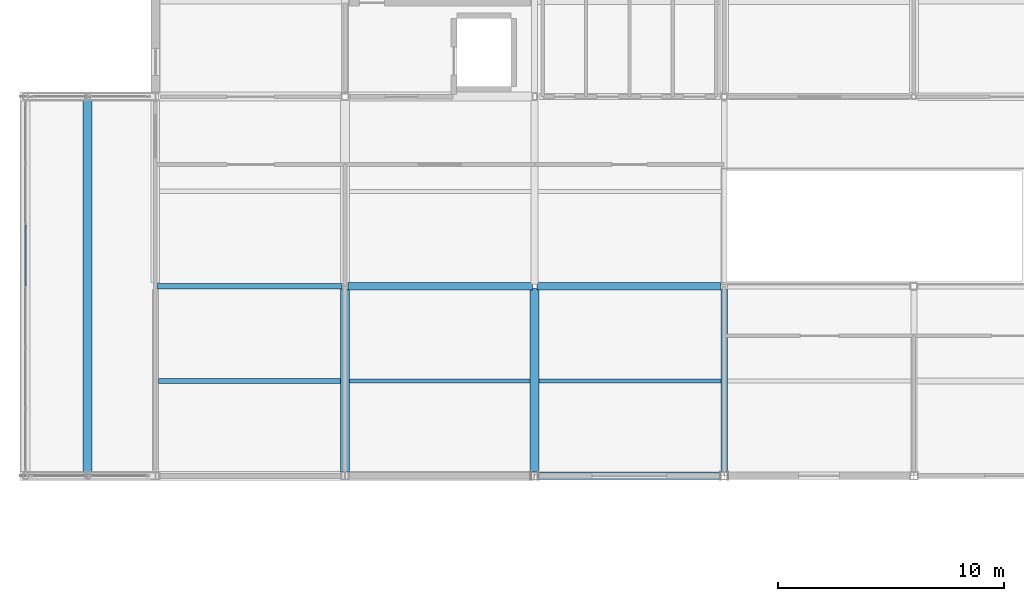
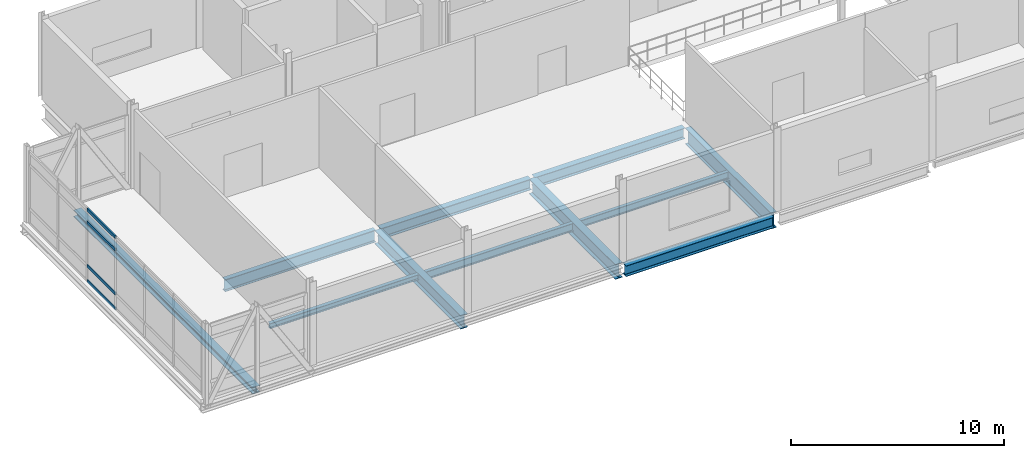
# One storey, part 13 of 45: 11 beams, 4 members, 1 element without a shape of its own.
"""IFC4 building model written with IfcOpenShell, lengths in metres."""

from ifc_helpers import new_model, si_unit, direction, frame, origin, origin_2d, place, context, subcontext, project, spatial, hollow_rectangle, i_section, extrude, material, layer, layer_set, material_profile, profile_set, type_object, element, aggregate, save


model = new_model("IFC4")

# Units and contexts
model_context = context("Model", 3, precision=1e-05, world=origin(), true_north=direction((0.0, 1.0)))
body_context = subcontext(model_context, "Body", "Model", "MODEL_VIEW")
ifc_project = project(units=[si_unit("LENGTHUNIT", "METRE"), si_unit("AREAUNIT", "SQUARE_METRE"), si_unit("VOLUMEUNIT", "CUBIC_METRE"), si_unit("PLANEANGLEUNIT", "RADIAN"), si_unit("MASSUNIT", "GRAM", prefix="KILO")], contexts=[model_context])

# Site, building, storey
site_placement = place(None, origin())
site = spatial("IfcSite", under=ifc_project, at=site_placement, CompositionType="ELEMENT")
building_placement = place(site_placement, origin())
building = spatial("IfcBuilding", under=site, at=building_placement, Name="Calvrana Isthmian Art Gallery", CompositionType="ELEMENT")
storey_placement = place(building_placement, frame((0.0, 0.0, 19.800048828125)))
storey = spatial("IfcBuildingStorey", under=building, at=storey_placement, Name="L04", CompositionType="ELEMENT", Elevation=19.800048828125)

# Beams
ifc_material_1 = material(Name="Steel ASTM A992 Gr 50", Category="steel")
ifc_material_profile_1 = material_profile(ifc_material_1, i_section(OverallWidth=0.39892578125, OverallDepth=0.39404296875, WebThickness=0.022705078125, FlangeThickness=0.03662109375, FilletRadius=0.02490234375, at=origin_2d()), Name="W14X193")
ifc_profile_set_1 = profile_set([ifc_material_profile_1], Name="Steel ASTM A992 Gr 50")
beam_type_1 = type_object("IfcBeamType", Name="BM-CANT-CHORD", PredefinedType="BEAM", material=ifc_profile_set_1)
beam_1_placement = place(storey_placement, frame((18.60009765625, 21.60009765625, -0.467041015625), z_axis=(0.0, 1.0, 0.0), x_axis=(-1.0, 0.0, 0.0)))
element("IfcBeam", 1, at=beam_1_placement, inside=storey, type_object=beam_type_1, Name="Lookout transverse girder L04-2", PredefinedType="BEAM", context=body_context, shape_type="SweptSolid", body=[
    extrude(i_section(OverallWidth=0.39892578125, OverallDepth=0.39404296875, WebThickness=0.022705078125, FlangeThickness=0.03662109375, FilletRadius=0.02490234375, at=origin_2d()), origin(), (0.0, 0.0, 1.0), 16.7998046875),
])
ifc_material_profile_2 = material_profile(ifc_material_1, i_section(OverallWidth=0.324951171875, OverallDepth=0.612060546875, WebThickness=0.0126953125, FlangeThickness=0.01904296875, FilletRadius=0.02197265625, at=origin_2d()), Name="W24X104")
ifc_profile_set_2 = profile_set([ifc_material_profile_2], Name="Steel ASTM A992 Gr 50")
beam_type_2 = type_object("IfcBeamType", Name="BM-G-W24X104", PredefinedType="BEAM", material=ifc_profile_set_2)
beam_2_placement = place(storey_placement, frame((38.501708984375, 30.0, -0.571044921875), z_axis=(1.0, 0.0, 0.0), x_axis=(0.0, 1.0, 0.0)))
element("IfcBeam", 2, at=beam_2_placement, inside=storey, type_object=beam_type_2, Name="Girder X L04 06-07/E", PredefinedType="BEAM", context=body_context, shape_type="SweptSolid", body=[
    extrude(i_section(OverallWidth=0.324951171875, OverallDepth=0.612060546875, WebThickness=0.0126953125, FlangeThickness=0.01904296875, FilletRadius=0.02197265625, at=origin_2d()), origin(), (0.0, 0.0, 1.0), 8.14599609375),
])
ifc_material_profile_3 = material_profile(ifc_material_1, i_section(OverallWidth=0.327880859375, OverallDepth=0.6220703125, WebThickness=0.015380859375, FlangeThickness=0.0244140625, FilletRadius=0.02197265625, at=origin_2d()), Name="W24X131")
ifc_profile_set_3 = profile_set([ifc_material_profile_3], Name="Steel ASTM A992 Gr 50")
beam_type_3 = type_object("IfcBeamType", Name="BM-G-W24X131", PredefinedType="BEAM", material=ifc_profile_set_3)
beam_3_placement = place(storey_placement, frame((38.58642578125, 21.60009765625, -0.575927734375), z_axis=(1.0, 0.0, 0.0), x_axis=(0.0, 1.0, 0.0)))
element("IfcBeam", 3, at=beam_3_placement, inside=storey, type_object=beam_type_3, Name="Girder X L04 06-07/D", PredefinedType="BEAM", context=body_context, shape_type="SweptSolid", body=[
    extrude(i_section(OverallWidth=0.327880859375, OverallDepth=0.6220703125, WebThickness=0.015380859375, FlangeThickness=0.0244140625, FilletRadius=0.02197265625, at=origin_2d()), origin(), (0.0, 0.0, 1.0), 8.028076171875),
])
beam_4_placement = place(storey_placement, frame((30.126953125, 30.0, -0.575927734375), z_axis=(1.0, 0.0, 0.0), x_axis=(0.0, 1.0, 0.0)))
element("IfcBeam", 4, at=beam_4_placement, inside=storey, type_object=beam_type_3, Name="Girder X L04 05-06/E", PredefinedType="BEAM", context=body_context, shape_type="SweptSolid", body=[
    extrude(i_section(OverallWidth=0.327880859375, OverallDepth=0.6220703125, WebThickness=0.015380859375, FlangeThickness=0.0244140625, FilletRadius=0.02197265625, at=origin_2d()), origin(), (0.0, 0.0, 1.0), 8.17138671875),
])
ifc_material_profile_4 = material_profile(ifc_material_1, i_section(OverallWidth=0.257080078125, OverallDepth=0.693115234375, WebThickness=0.014404296875, FlangeThickness=0.023681640625, FilletRadius=0.02392578125, at=origin_2d()), Name="W27X114")
ifc_profile_set_4 = profile_set([ifc_material_profile_4], Name="Steel ASTM A992 Gr 50")
beam_type_4 = type_object("IfcBeamType", Name="BM-G-W27X114", PredefinedType="BEAM", material=ifc_profile_set_4)
beam_5_placement = place(storey_placement, frame((21.70166015625, 30.0, -0.611572265625), z_axis=(1.0, 0.0, 0.0), x_axis=(0.0, 1.0, 0.0)))
element("IfcBeam", 5, at=beam_5_placement, inside=storey, type_object=beam_type_4, Name="Girder X L04 04-05/E", PredefinedType="BEAM", context=body_context, shape_type="SweptSolid", body=[
    extrude(i_section(OverallWidth=0.257080078125, OverallDepth=0.693115234375, WebThickness=0.014404296875, FlangeThickness=0.023681640625, FilletRadius=0.02392578125, at=origin_2d()), origin(), (0.0, 0.0, 1.0), 8.17138671875),
])
ifc_material_profile_5 = material_profile(ifc_material_1, i_section(OverallWidth=0.381103515625, OverallDepth=0.77197265625, WebThickness=0.0166015625, FlangeThickness=0.027099609375, FilletRadius=0.02490234375, at=origin_2d()), Name="W30X173")
ifc_profile_set_5 = profile_set([ifc_material_profile_5], Name="Steel ASTM A992 Gr 50")
beam_type_5 = type_object("IfcBeamType", Name="BM-G-W30X173", PredefinedType="BEAM", material=ifc_profile_set_5)
beam_6_placement = place(storey_placement, frame((30.0, 21.78662109375, -0.651123046875), z_axis=(0.0, 1.0, 0.0), x_axis=(-1.0, 0.0, 0.0)))
element("IfcBeam", 6, at=beam_6_placement, inside=storey, type_object=beam_type_5, Name="Girder Y L04 05/D-E", PredefinedType="BEAM", context=body_context, shape_type="SweptSolid", body=[
    extrude(i_section(OverallWidth=0.381103515625, OverallDepth=0.77197265625, WebThickness=0.0166015625, FlangeThickness=0.027099609375, FilletRadius=0.02490234375, at=origin_2d()), origin(), (0.0, 0.0, 1.0), 8.08642578125),
])
ifc_material_profile_6 = material_profile(ifc_material_1, i_section(OverallWidth=0.40087890625, OverallDepth=0.85595703125, WebThickness=0.018310546875, FlangeThickness=0.029296875, FilletRadius=0.02587890625, at=origin_2d()), Name="W33X201")
ifc_profile_set_6 = profile_set([ifc_material_profile_6], Name="Steel ASTM A992 Gr 50")
beam_type_6 = type_object("IfcBeamType", Name="BM-G-W33X201", PredefinedType="BEAM", material=ifc_profile_set_6)
beam_7_placement = place(storey_placement, frame((38.39990234375, 21.783935546875, -0.693115234375), z_axis=(0.0, 1.0, 0.0), x_axis=(-1.0, 0.0, 0.0)))
element("IfcBeam", 7, at=beam_7_placement, inside=storey, type_object=beam_type_6, Name="Girder Y L04 06/D-E", PredefinedType="BEAM", context=body_context, shape_type="SweptSolid", body=[
    extrude(i_section(OverallWidth=0.40087890625, OverallDepth=0.85595703125, WebThickness=0.018310546875, FlangeThickness=0.029296875, FilletRadius=0.02587890625, at=origin_2d()), origin(), (0.0, 0.0, 1.0), 8.114501953125),
])
ifc_material_profile_7 = material_profile(ifc_material_1, i_section(OverallWidth=0.306884765625, OverallDepth=0.927001953125, WebThickness=0.019287109375, FlangeThickness=0.031982421875, FilletRadius=0.028076171875, at=origin_2d()), Name="W36X194")
ifc_profile_set_7 = profile_set([ifc_material_profile_7], Name="Steel ASTM A992 Gr 50")
beam_type_7 = type_object("IfcBeamType", Name="BM-G-W36X194", PredefinedType="BEAM", material=ifc_profile_set_7)
beam_8_placement = place(storey_placement, frame((46.800048828125, 21.781494140625, -0.728515625), z_axis=(0.0, 1.0, 0.0), x_axis=(-1.0, 0.0, 0.0)))
element("IfcBeam", 8, at=beam_8_placement, inside=storey, type_object=beam_type_7, Name="Girder Y L04 07/D-E", PredefinedType="BEAM", context=body_context, shape_type="SweptSolid", body=[
    extrude(i_section(OverallWidth=0.306884765625, OverallDepth=0.927001953125, WebThickness=0.019287109375, FlangeThickness=0.031982421875, FilletRadius=0.028076171875, at=origin_2d()), origin(), (0.0, 0.0, 1.0), 8.066162109375),
])
ifc_material_profile_8 = material_profile(ifc_material_1, i_section(OverallWidth=0.202880859375, OverallDepth=0.302001953125, WebThickness=0.007568359375, FlangeThickness=0.01318359375, FilletRadius=0.01611328125, at=origin_2d()), Name="W12X40")
ifc_profile_set_8 = profile_set([ifc_material_profile_8], Name="Steel ASTM A992 Gr 50")
beam_type_8 = type_object("IfcBeamType", Name="BM-J-W12X40", PredefinedType="JOIST", material=ifc_profile_set_8)
beam_9_placement = place(storey_placement, frame((21.728515625, 25.800048828125, -0.416015625), z_axis=(1.0, 0.0, 0.0), x_axis=(0.0, 1.0, 0.0)))
element("IfcBeam", 9, at=beam_9_placement, inside=storey, type_object=beam_type_8, Name="Composite joist L04 bay 03-03", PredefinedType="JOIST", context=body_context, shape_type="SweptSolid", body=[
    extrude(i_section(OverallWidth=0.202880859375, OverallDepth=0.302001953125, WebThickness=0.007568359375, FlangeThickness=0.01318359375, FilletRadius=0.01611328125, at=origin_2d()), origin(), (0.0, 0.0, 1.0), 8.0810546875),
])
ifc_material_profile_9 = material_profile(ifc_material_1, i_section(OverallWidth=0.179931640625, OverallDepth=0.4140625, WebThickness=0.009765625, FlangeThickness=0.01611328125, FilletRadius=0.01806640625, at=origin_2d()), Name="W16X50")
ifc_profile_set_9 = profile_set([ifc_material_profile_9], Name="Steel ASTM A992 Gr 50")
beam_type_9 = type_object("IfcBeamType", Name="BM-J-W16X50", PredefinedType="JOIST", material=ifc_profile_set_9)
beam_10_placement = place(storey_placement, frame((38.6005859375, 25.800048828125, -0.47216796875), z_axis=(1.0, 0.0, 0.0), x_axis=(0.0, 1.0, 0.0)))
element("IfcBeam", 10, at=beam_10_placement, inside=storey, type_object=beam_type_9, Name="Composite joist L04 bay 05-03", PredefinedType="JOIST", context=body_context, shape_type="SweptSolid", body=[
    extrude(i_section(OverallWidth=0.179931640625, OverallDepth=0.4140625, WebThickness=0.009765625, FlangeThickness=0.01611328125, FilletRadius=0.01806640625, at=origin_2d()), origin(), (0.0, 0.0, 1.0), 8.0458984375),
])
ifc_material_profile_10 = material_profile(ifc_material_1, i_section(OverallWidth=0.19091796875, OverallDepth=0.45703125, WebThickness=0.009033203125, FlangeThickness=0.014404296875, FilletRadius=0.02001953125, at=origin_2d()), Name="W18X50")
ifc_profile_set_10 = profile_set([ifc_material_profile_10], Name="Steel ASTM A992 Gr 50")
beam_type_10 = type_object("IfcBeamType", Name="BM-J-W18X50", PredefinedType="JOIST", material=ifc_profile_set_10)
beam_11_placement = place(storey_placement, frame((30.1904296875, 25.800048828125, -0.49365234375), z_axis=(1.0, 0.0, 0.0), x_axis=(0.0, 1.0, 0.0)))
element("IfcBeam", 11, at=beam_11_placement, inside=storey, type_object=beam_type_10, Name="Composite joist L04 bay 04-03", PredefinedType="JOIST", context=body_context, shape_type="SweptSolid", body=[
    extrude(i_section(OverallWidth=0.19091796875, OverallDepth=0.45703125, WebThickness=0.009033203125, FlangeThickness=0.014404296875, FilletRadius=0.02001953125, at=origin_2d()), origin(), (0.0, 0.0, 1.0), 8.009033203125),
])

# Curtain wall, members
ifc_material_2 = material(Name="Anodized bronze aluminium 6063-T6", Category="aluminium")
ifc_layer = layer(ifc_material_2, 0.179931640625, Name="Anodized bronze aluminium 6063-T6")
ifc_layer_set = layer_set([ifc_layer], Name="Anodized bronze aluminium 6063-T6")
curtain_wall_type = type_object("IfcCurtainWallType", Name="CW-STICK-163X42", PredefinedType="NOTDEFINED", material=ifc_layer_set)
curtain_wall_placement = place(storey_placement, origin())
curtain_wall = element("IfcCurtainWall", 12, at=curtain_wall_placement, inside=storey, type_object=curtain_wall_type, Name="Curtain wall CW-193", PredefinedType="NOTDEFINED")
ifc_material_profile_11 = material_profile(ifc_material_2, hollow_rectangle(XDim=0.070068359375, YDim=0.169921875, WallThickness=0.00439453125, at=origin_2d()), Name="CWT70X170")
ifc_profile_set_11 = profile_set([ifc_material_profile_11], Name="Anodized bronze aluminium 6063-T6")
member_type = type_object("IfcMemberType", Name="CWT-CWT70X170", PredefinedType="USERDEFINED", material=ifc_profile_set_11)
member_1_placement = place(storey_placement, frame((15.85009765625, 30.030029296875, 0.034912109375), z_axis=(0.0, 1.0, 0.0), x_axis=(-1.0, 0.0, 0.0)))
member_1 = element("IfcMember", 13, at=member_1_placement, type_object=member_type, Name="CW-193 transom 4.1", ObjectType="TRANSOM", PredefinedType="USERDEFINED", context=body_context, shape_type="SweptSolid", body=[
    extrude(hollow_rectangle(XDim=0.070068359375, YDim=0.169921875, WallThickness=0.00439453125, at=origin_2d()), origin(), (0.0, 0.0, 1.0), 2.65673828125),
])
member_2_placement = place(storey_placement, frame((15.85009765625, 30.030029296875, 0.89990234375), z_axis=(0.0, 1.0, 0.0), x_axis=(-1.0, 0.0, 0.0)))
member_2 = element("IfcMember", 14, at=member_2_placement, type_object=member_type, Name="CW-193 transom 4.2", ObjectType="TRANSOM", PredefinedType="USERDEFINED", context=body_context, shape_type="SweptSolid", body=[
    extrude(hollow_rectangle(XDim=0.070068359375, YDim=0.169921875, WallThickness=0.00439453125, at=origin_2d()), origin(), (0.0, 0.0, 1.0), 2.65673828125),
])
member_3_placement = place(storey_placement, frame((15.85009765625, 30.030029296875, 3.410888671875), z_axis=(0.0, 1.0, 0.0), x_axis=(-1.0, 0.0, 0.0)))
member_3 = element("IfcMember", 15, at=member_3_placement, type_object=member_type, Name="CW-193 transom 4.3", ObjectType="TRANSOM", PredefinedType="USERDEFINED", context=body_context, shape_type="SweptSolid", body=[
    extrude(hollow_rectangle(XDim=0.070068359375, YDim=0.169921875, WallThickness=0.00439453125, at=origin_2d()), origin(), (0.0, 0.0, 1.0), 2.65673828125),
])
member_4_placement = place(storey_placement, frame((15.85009765625, 30.030029296875, 4.1259765625), z_axis=(0.0, 1.0, 0.0), x_axis=(-1.0, 0.0, 0.0)))
member_4 = element("IfcMember", 16, at=member_4_placement, type_object=member_type, Name="CW-193 transom 4.4", ObjectType="TRANSOM", PredefinedType="USERDEFINED", context=body_context, shape_type="SweptSolid", body=[
    extrude(hollow_rectangle(XDim=0.070068359375, YDim=0.169921875, WallThickness=0.00439453125, at=origin_2d()), origin(), (0.0, 0.0, 1.0), 2.65673828125),
])
aggregate(curtain_wall, [member_1, member_2, member_3, member_4])

save(model, "model.ifc")
